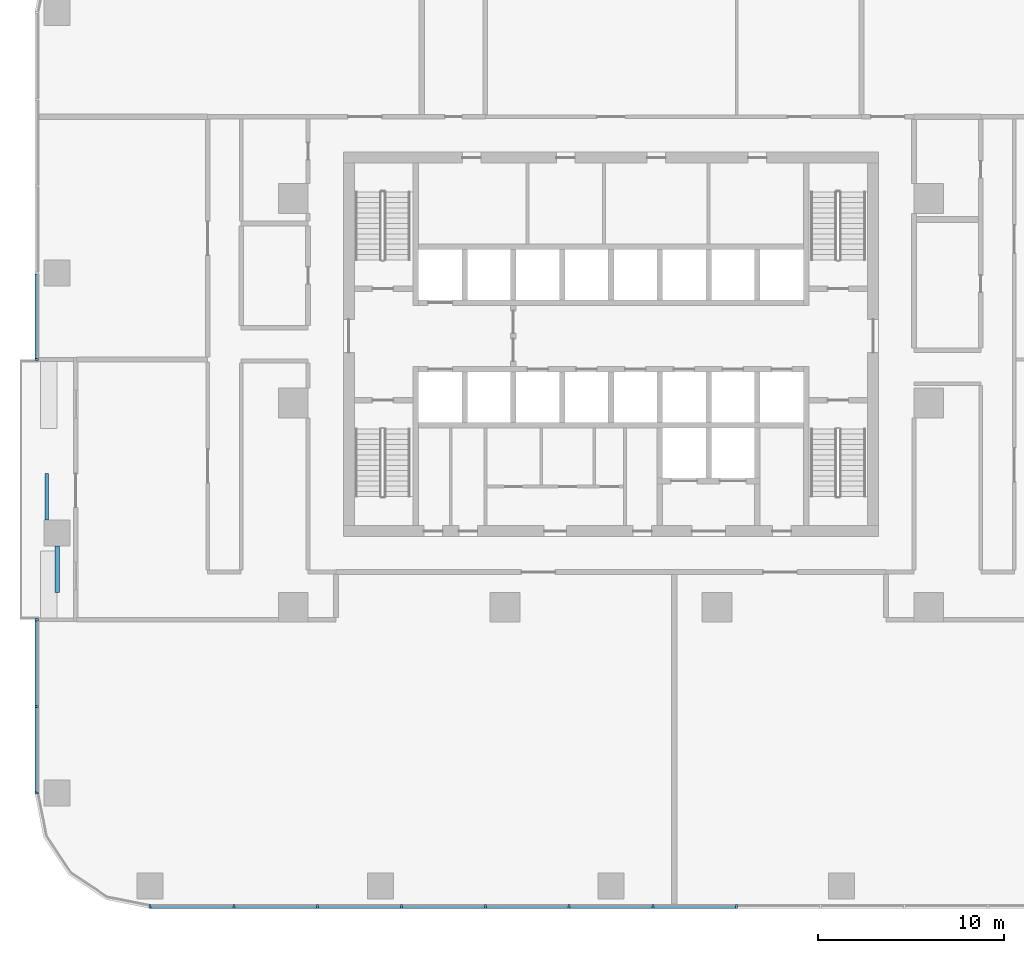
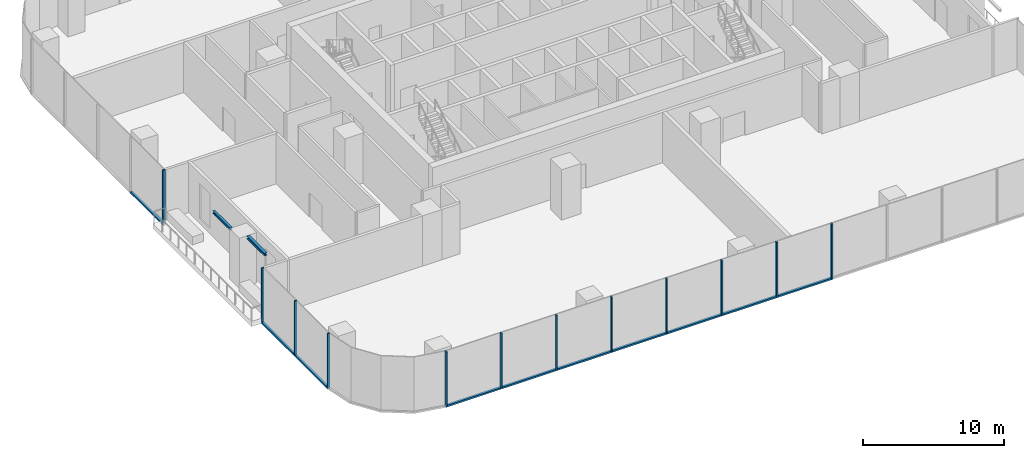
# One storey, part 2 of 14: 22 members, 2 beams, 3 elements without a shape of their own.
"""IFC4 building model written with IfcOpenShell, lengths in metres."""

import ifcopenshell
import ifcopenshell.guid

model = None  # the IFC model being written
_history = None  # IfcOwnerHistory: only IFC2X3 demands one
_inside = {}  # id of a spatial element -> (the spatial element, [elements in it])
_under = {}  # id of a project, library or spatial element -> (it, [spatial elements below it])
_declared = {}  # id of a project -> (the project, [libraries it declares])
_typed = {}  # id of a type object -> (the type object, [elements of that type])
_made_of = {}  # id of a material, layer set ... -> (it, [elements and type objects made of it])


def new_model(schema):
    """Start an empty IFC model of exactly this schema.

    Asked for "IFC4X3", IfcOpenShell would pick the latest addendum, in which some entities
    have other attributes; the version numbers below select the first issue.
    IFC2X3 requires an IfcOwnerHistory on every rooted entity: one is made here for all.
    """
    global model, _history
    if schema == "IFC4X3":
        model = ifcopenshell.file(schema_version=(4, 3, 0, 0))
    else:
        model = ifcopenshell.file(schema=schema)
    _inside.clear()
    _under.clear()
    _declared.clear()
    _typed.clear()
    _made_of.clear()
    _history = None
    if model.schema == "IFC2X3":
        org = make("IfcOrganization", Name="unknown")
        user = make(
            "IfcPersonAndOrganization",
            ThePerson=make("IfcPerson", FamilyName="unknown"),
            TheOrganization=org,
        )
        app = make(
            "IfcApplication",
            ApplicationDeveloper=org,
            Version="unknown",
            ApplicationFullName="unknown",
            ApplicationIdentifier="unknown",
        )
        _history = make(
            "IfcOwnerHistory",
            OwningUser=user,
            OwningApplication=app,
            ChangeAction="ADDED",
            CreationDate=0,
        )
    return model


def make(cls, **values):
    """One entity of the class cls with the attributes given. An attribute that is None is left unset."""
    return model.create_entity(
        cls, **{name: value for name, value in values.items() if value is not None}
    )


def rooted(cls, **values):
    """An entity with a GlobalId (a new one), such as an element, a storey or a relation."""
    return make(cls, GlobalId=ifcopenshell.guid.new(), OwnerHistory=_history, **values)


def si_unit(unit_type, name, prefix=None):
    """IfcSIUnit, for example si_unit("LENGTHUNIT", "METRE", prefix="MILLI")."""
    return make("IfcSIUnit", UnitType=unit_type, Prefix=prefix, Name=name)


def assignment(units):
    """IfcUnitAssignment: the units of a project."""
    return None if units is None else make("IfcUnitAssignment", Units=units)


def point(xyz):
    """IfcCartesianPoint."""
    return None if xyz is None else make("IfcCartesianPoint", Coordinates=xyz)


def direction(xyz):
    """IfcDirection."""
    return None if xyz is None else make("IfcDirection", DirectionRatios=xyz)


def frame(location, z_axis=None, x_axis=None):
    """IfcAxis2Placement3D, a coordinate frame: its origin and axes. An axis left out is left unset."""
    return make(
        "IfcAxis2Placement3D",
        Location=point(location),
        Axis=direction(z_axis),
        RefDirection=direction(x_axis),
    )


def frame_2d(location, x_axis=None):
    """IfcAxis2Placement2D, a coordinate frame in the plane: its origin and x axis."""
    return make(
        "IfcAxis2Placement2D", Location=point(location), RefDirection=direction(x_axis)
    )


def origin():
    """The frame at (0, 0, 0) with its axes left unset."""
    return frame((0.0, 0.0, 0.0))


def origin_2d():
    """The frame at (0, 0) in the plane with its x axis left unset."""
    return frame_2d((0.0, 0.0))


def place(relative_to, where):
    """IfcLocalPlacement: puts the frame where relative to a parent placement (None: the world)."""
    return make(
        "IfcLocalPlacement", PlacementRelTo=relative_to, RelativePlacement=where
    )


def context(
    kind, dimensions, precision=None, world=None, true_north=None, identifier=None
):
    """IfcGeometricRepresentationContext, for example the 3D "Model" context."""
    return make(
        "IfcGeometricRepresentationContext",
        ContextIdentifier=identifier,
        ContextType=kind,
        CoordinateSpaceDimension=dimensions,
        Precision=precision,
        WorldCoordinateSystem=world,
        TrueNorth=true_north,
    )


def subcontext(parent, identifier, kind, view, scale=None):
    """IfcGeometricRepresentationSubContext, for example "Body" below "Model"."""
    return make(
        "IfcGeometricRepresentationSubContext",
        ContextIdentifier=identifier,
        ContextType=kind,
        ParentContext=parent,
        TargetScale=scale,
        TargetView=view,
    )


def project(units=None, contexts=None):
    """IfcProject with its units and contexts."""
    return rooted(
        "IfcProject",
        Name="project",
        RepresentationContexts=contexts,
        UnitsInContext=assignment(units),
    )


def spatial(cls, under=None, at=None, **own):
    """A site, building, storey or space (cls), placed at a placement, below another one or the project."""
    s = rooted(cls, ObjectPlacement=at, **own)
    if under is not None:
        _under.setdefault(under.id(), (under, []))[1].append(s)
    return s


def profile(cls, at=None, kind="AREA", **sizes):
    """A parametric profile (cls). Its sizes go by their IFC names, for example OverallWidth=200.0."""
    return make(cls, ProfileType=kind, Position=at, **sizes)


def rectangle(**sizes):
    """IfcRectangleProfileDef."""
    return profile("IfcRectangleProfileDef", **sizes)


def i_section(**sizes):
    """IfcIShapeProfileDef."""
    return profile("IfcIShapeProfileDef", **sizes)


def extrude(swept, where, along, depth):
    """IfcExtrudedAreaSolid: the profile swept, set in the frame where, extruded along a direction by depth."""
    return make(
        "IfcExtrudedAreaSolid",
        SweptArea=swept,
        Position=where,
        ExtrudedDirection=direction(along),
        Depth=depth,
    )


def shape(context_of_items, identifier, shape_type, items):
    """IfcShapeRepresentation: the items that make up one representation, for example the "Body"."""
    return make(
        "IfcShapeRepresentation",
        ContextOfItems=context_of_items,
        RepresentationIdentifier=identifier,
        RepresentationType=shape_type,
        Items=items,
    )


def material(Name=None, Category=None):
    """IfcMaterial."""
    return make("IfcMaterial", Name=Name, Category=Category)


def material_profile(
    of_material, cross_section, Name=None, Category=None, Priority=None
):
    """IfcMaterialProfile: a cross section and its material."""
    return make(
        "IfcMaterialProfile",
        Name=Name,
        Material=of_material,
        Profile=cross_section,
        Priority=Priority,
        Category=Category,
    )


def profile_set(profiles, Name=None, composite=None):
    """IfcMaterialProfileSet."""
    return make(
        "IfcMaterialProfileSet",
        Name=Name,
        MaterialProfiles=profiles,
        CompositeProfile=composite,
    )


def made_of(thing, what):
    """Note that an element or type object is made of a material, layer set ...; save() writes the relation."""
    if what is not None:
        _made_of.setdefault(what.id(), (what, []))[1].append(thing)
    return thing


def type_object(cls, material=None, **own):
    """A type object (cls), such as IfcWallType, which elements share."""
    return made_of(rooted(cls, **own), material)


def element(
    cls,
    number,
    at=None,
    inside=None,
    cuts=None,
    type_object=None,
    material=None,
    context=None,
    identifier="Body",
    shape_type=None,
    held_by="IfcProductDefinitionShape",
    body=None,
    shapes=None,
    **own,
):
    """One element of the class cls, such as IfcWall. Its Tag is "e" and its number.

    at: its placement. inside: the storey or other place that contains it. cuts: it is an
    opening in that element (IfcRelVoidsElement). A single representation is given by context,
    identifier, shape_type and body (its items); several are given by shapes. held_by: the class
    of the entity that holds the representations. save() writes the other relations.
    """
    e = rooted(cls, Tag="e%d" % number, ObjectPlacement=at, **own)
    if body is not None:
        shapes = [shape(context, identifier, shape_type, body)]
    if shapes is not None:
        e.Representation = make(held_by, Representations=shapes)
    if inside is not None:
        _inside.setdefault(inside.id(), (inside, []))[1].append(e)
    if cuts is not None:
        rooted(
            "IfcRelVoidsElement", RelatingBuildingElement=cuts, RelatedOpeningElement=e
        )
    if type_object is not None:
        _typed.setdefault(type_object.id(), (type_object, []))[1].append(e)
    return made_of(e, material)


def aggregate(whole, parts):
    """IfcRelAggregates: a whole, such as a stair, and the parts it consists of."""
    return rooted("IfcRelAggregates", RelatingObject=whole, RelatedObjects=parts)


def save(model, path):
    """Write the relations noted so far, then the file.

    IfcRelAggregates (storeys below a building ...), IfcRelContainedInSpatialStructure (elements
    in a storey), IfcRelDefinesByType, IfcRelAssociatesMaterial and IfcRelDeclares: one each for
    every whole, place, type object, material and project.
    """
    for whole, parts in _under.values():
        aggregate(whole, parts)
    for where, things in _inside.values():
        rooted(
            "IfcRelContainedInSpatialStructure",
            RelatedElements=things,
            RelatingStructure=where,
        )
    for kind, things in _typed.values():
        rooted("IfcRelDefinesByType", RelatedObjects=things, RelatingType=kind)
    for what, things in _made_of.values():
        rooted("IfcRelAssociatesMaterial", RelatedObjects=things, RelatingMaterial=what)
    for by, libraries in _declared.values():
        rooted("IfcRelDeclares", RelatingContext=by, RelatedDefinitions=libraries)
    model.write(path)


model = new_model("IFC4")

# Units and contexts
model_context = context("Model", 3, precision=1e-05, world=origin(), true_north=direction((0.0, 1.0)))
body_context = subcontext(model_context, "Body", "Model", "MODEL_VIEW")
ifc_project = project(units=[si_unit("LENGTHUNIT", "METRE"), si_unit("AREAUNIT", "SQUARE_METRE"), si_unit("VOLUMEUNIT", "CUBIC_METRE"), si_unit("PLANEANGLEUNIT", "RADIAN"), si_unit("MASSUNIT", "GRAM", prefix="KILO")], contexts=[model_context])

# Site, building, storey
site_placement = place(None, origin())
site = spatial("IfcSite", under=ifc_project, at=site_placement, CompositionType="ELEMENT")
building_placement = place(site_placement, origin())
building = spatial("IfcBuilding", under=site, at=building_placement, Name="Mopane Tessera Tower", CompositionType="ELEMENT")
storey_placement = place(building_placement, frame((0.0, 0.0, 35.800048828125)))
storey = spatial("IfcBuildingStorey", under=building, at=storey_placement, Name="L06", CompositionType="ELEMENT", Elevation=35.800048828125)

# Curtain wall, members
ifc_material_1 = material(Name="Aluminium frame", Category="aluminium")
curtain_wall_type = type_object("IfcCurtainWallType", Name="Lower tower unitised wall", PredefinedType="NOTDEFINED", material=ifc_material_1)
curtain_wall_1_placement = place(storey_placement, origin())
curtain_wall_1 = element("IfcCurtainWall", 1, at=curtain_wall_1_placement, inside=storey, type_object=curtain_wall_type, Name="e:cw:L06:S:0", PredefinedType="NOTDEFINED")
ifc_material_2 = material(Name="Aluminium frame", Category="aluminium")
ifc_material_profile_1 = material_profile(ifc_material_2, rectangle(XDim=0.110107421875, YDim=0.199951171875, at=origin_2d()))
ifc_profile_set_1 = profile_set([ifc_material_profile_1], Name="Aluminium frame")
member_type_1 = type_object("IfcMemberType", Name="Aluminium mullion 110 x 200", PredefinedType="MULLION", material=ifc_profile_set_1)
member_1_placement = place(storey_placement, frame((-24.800048828125, -27.10009765625, -0.449951171875), z_axis=(0.0, 0.0, 1.0), x_axis=(1.0, 0.0, 0.0)))
member_1 = element("IfcMember", 2, at=member_1_placement, type_object=member_type_1, Name="e:cw:L06:S:0:mu0", PredefinedType="MULLION", context=body_context, shape_type="SweptSolid", body=[
    extrude(rectangle(XDim=0.110107421875, YDim=0.199951171875, at=origin_2d()), origin(), (0.0, 0.0, 1.0), 4.7998046875),
])
member_2_placement = place(storey_placement, frame((-20.291015625, -27.10009765625, -0.449951171875), z_axis=(0.0, 0.0, 1.0), x_axis=(1.0, 0.0, 0.0)))
member_2 = element("IfcMember", 3, at=member_2_placement, type_object=member_type_1, Name="e:cw:L06:S:0:mu1", PredefinedType="MULLION", context=body_context, shape_type="SweptSolid", body=[
    extrude(rectangle(XDim=0.110107421875, YDim=0.199951171875, at=origin_2d()), origin(), (0.0, 0.0, 1.0), 4.7998046875),
])
member_3_placement = place(storey_placement, frame((-15.78173828125, -27.10009765625, -0.449951171875), z_axis=(0.0, 0.0, 1.0), x_axis=(1.0, 0.0, 0.0)))
member_3 = element("IfcMember", 4, at=member_3_placement, type_object=member_type_1, Name="e:cw:L06:S:0:mu2", PredefinedType="MULLION", context=body_context, shape_type="SweptSolid", body=[
    extrude(rectangle(XDim=0.110107421875, YDim=0.199951171875, at=origin_2d()), origin(), (0.0, 0.0, 1.0), 4.7998046875),
])
member_4_placement = place(storey_placement, frame((-11.272705078125, -27.10009765625, -0.449951171875), z_axis=(0.0, 0.0, 1.0), x_axis=(1.0, 0.0, 0.0)))
member_4 = element("IfcMember", 5, at=member_4_placement, type_object=member_type_1, Name="e:cw:L06:S:0:mu3", PredefinedType="MULLION", context=body_context, shape_type="SweptSolid", body=[
    extrude(rectangle(XDim=0.110107421875, YDim=0.199951171875, at=origin_2d()), origin(), (0.0, 0.0, 1.0), 4.7998046875),
])
member_5_placement = place(storey_placement, frame((-6.763671875, -27.10009765625, -0.449951171875), z_axis=(0.0, 0.0, 1.0), x_axis=(1.0, 0.0, 0.0)))
member_5 = element("IfcMember", 6, at=member_5_placement, type_object=member_type_1, Name="e:cw:L06:S:0:mu4", PredefinedType="MULLION", context=body_context, shape_type="SweptSolid", body=[
    extrude(rectangle(XDim=0.110107421875, YDim=0.199951171875, at=origin_2d()), origin(), (0.0, 0.0, 1.0), 4.7998046875),
])
member_6_placement = place(storey_placement, frame((-2.254638671875, -27.10009765625, -0.449951171875), z_axis=(0.0, 0.0, 1.0), x_axis=(1.0, 0.0, 0.0)))
member_6 = element("IfcMember", 7, at=member_6_placement, type_object=member_type_1, Name="e:cw:L06:S:0:mu5", PredefinedType="MULLION", context=body_context, shape_type="SweptSolid", body=[
    extrude(rectangle(XDim=0.110107421875, YDim=0.199951171875, at=origin_2d()), origin(), (0.0, 0.0, 1.0), 4.7998046875),
])
member_7_placement = place(storey_placement, frame((2.254638671875, -27.10009765625, -0.449951171875), z_axis=(0.0, 0.0, 1.0), x_axis=(1.0, 0.0, 0.0)))
member_7 = element("IfcMember", 8, at=member_7_placement, type_object=member_type_1, Name="e:cw:L06:S:0:mu6", PredefinedType="MULLION", context=body_context, shape_type="SweptSolid", body=[
    extrude(rectangle(XDim=0.110107421875, YDim=0.199951171875, at=origin_2d()), origin(), (0.0, 0.0, 1.0), 4.7998046875),
])
member_8_placement = place(storey_placement, frame((6.763671875, -27.10009765625, -0.449951171875), z_axis=(0.0, 0.0, 1.0), x_axis=(1.0, 0.0, 0.0)))
member_8 = element("IfcMember", 9, at=member_8_placement, type_object=member_type_1, Name="e:cw:L06:S:0:mu7", PredefinedType="MULLION", context=body_context, shape_type="SweptSolid", body=[
    extrude(rectangle(XDim=0.110107421875, YDim=0.199951171875, at=origin_2d()), origin(), (0.0, 0.0, 1.0), 4.7998046875),
])

# Curtain wall, member
curtain_wall_2_placement = place(storey_placement, origin())
curtain_wall_2 = element("IfcCurtainWall", 10, at=curtain_wall_2_placement, inside=storey, type_object=curtain_wall_type, Name="e:cw:L06:W:0", PredefinedType="NOTDEFINED")
member_9_placement = place(storey_placement, frame((-30.89990234375, 2.333251953125, -0.449951171875), z_axis=(0.0, 0.0, 1.0), x_axis=(0.0, -1.0, 0.0)))
member_9 = element("IfcMember", 11, at=member_9_placement, type_object=member_type_1, Name="e:cw:L06:W:0:mu4", PredefinedType="MULLION", context=body_context, shape_type="SweptSolid", body=[
    extrude(rectangle(XDim=0.110107421875, YDim=0.199951171875, at=origin_2d()), origin(), (0.0, 0.0, 1.0), 4.7998046875),
])

# Curtain wall, members
curtain_wall_3_placement = place(storey_placement, origin())
curtain_wall_3 = element("IfcCurtainWall", 12, at=curtain_wall_3_placement, inside=storey, type_object=curtain_wall_type, Name="e:cw:L06:W:7", PredefinedType="NOTDEFINED")
member_10_placement = place(storey_placement, frame((-30.89990234375, -11.666748046875, -0.449951171875), z_axis=(0.0, 0.0, 1.0), x_axis=(0.0, -1.0, 0.0)))
member_10 = element("IfcMember", 13, at=member_10_placement, type_object=member_type_1, Name="e:cw:L06:W:7:mu7", PredefinedType="MULLION", context=body_context, shape_type="SweptSolid", body=[
    extrude(rectangle(XDim=0.110107421875, YDim=0.199951171875, at=origin_2d()), origin(), (0.0, 0.0, 1.0), 4.7998046875),
])
member_11_placement = place(storey_placement, frame((-30.89990234375, -16.333251953125, -0.449951171875), z_axis=(0.0, 0.0, 1.0), x_axis=(0.0, -1.0, 0.0)))
member_11 = element("IfcMember", 14, at=member_11_placement, type_object=member_type_1, Name="e:cw:L06:W:7:mu8", PredefinedType="MULLION", context=body_context, shape_type="SweptSolid", body=[
    extrude(rectangle(XDim=0.110107421875, YDim=0.199951171875, at=origin_2d()), origin(), (0.0, 0.0, 1.0), 4.7998046875),
])
member_12_placement = place(storey_placement, frame((-30.89990234375, -21.0, -0.449951171875), z_axis=(0.0, 0.0, 1.0), x_axis=(0.0, -1.0, 0.0)))
member_12 = element("IfcMember", 15, at=member_12_placement, type_object=member_type_1, Name="e:cw:L06:W:7:mu9", PredefinedType="MULLION", context=body_context, shape_type="SweptSolid", body=[
    extrude(rectangle(XDim=0.110107421875, YDim=0.199951171875, at=origin_2d()), origin(), (0.0, 0.0, 1.0), 4.7998046875),
])

# Member
ifc_material_3 = material(Name="Aluminium frame", Category="aluminium")
ifc_material_profile_2 = material_profile(ifc_material_3, rectangle(XDim=0.199951171875, YDim=0.139892578125, at=origin_2d()))
ifc_profile_set_2 = profile_set([ifc_material_profile_2], Name="Aluminium frame")
member_type_2 = type_object("IfcMemberType", Name="Aluminium transom 200 x 140", PredefinedType="USERDEFINED", material=ifc_profile_set_2)
member_13_placement = place(storey_placement, frame((-24.7451171875, -27.10009765625, -0.380126953125), z_axis=(1.0, 0.0, 0.0), x_axis=(0.0, 1.0, 0.0)))
member_13 = element("IfcMember", 16, at=member_13_placement, type_object=member_type_2, Name="e:cw:L06:S:0:tr0", ObjectType="TRANSOM", PredefinedType="USERDEFINED", context=body_context, shape_type="SweptSolid", body=[
    extrude(rectangle(XDim=0.199951171875, YDim=0.139892578125, at=origin_2d()), origin(), (0.0, 0.0, 1.0), 4.399169921875),
])

member_14_placement = place(storey_placement, frame((-20.23583984375, -27.10009765625, -0.380126953125), z_axis=(1.0, 0.0, 0.0), x_axis=(0.0, 1.0, 0.0)))
member_14 = element("IfcMember", 17, at=member_14_placement, type_object=member_type_2, Name="e:cw:L06:S:0:tr1", ObjectType="TRANSOM", PredefinedType="USERDEFINED", context=body_context, shape_type="SweptSolid", body=[
    extrude(rectangle(XDim=0.199951171875, YDim=0.139892578125, at=origin_2d()), origin(), (0.0, 0.0, 1.0), 4.39892578125),
])

member_15_placement = place(storey_placement, frame((-15.726806640625, -27.10009765625, -0.380126953125), z_axis=(1.0, 0.0, 0.0), x_axis=(0.0, 1.0, 0.0)))
member_15 = element("IfcMember", 18, at=member_15_placement, type_object=member_type_2, Name="e:cw:L06:S:0:tr2", ObjectType="TRANSOM", PredefinedType="USERDEFINED", context=body_context, shape_type="SweptSolid", body=[
    extrude(rectangle(XDim=0.199951171875, YDim=0.139892578125, at=origin_2d()), origin(), (0.0, 0.0, 1.0), 4.399169921875),
])

member_16_placement = place(storey_placement, frame((-11.2177734375, -27.10009765625, -0.380126953125), z_axis=(1.0, 0.0, 0.0), x_axis=(0.0, 1.0, 0.0)))
member_16 = element("IfcMember", 19, at=member_16_placement, type_object=member_type_2, Name="e:cw:L06:S:0:tr3", ObjectType="TRANSOM", PredefinedType="USERDEFINED", context=body_context, shape_type="SweptSolid", body=[
    extrude(rectangle(XDim=0.199951171875, YDim=0.139892578125, at=origin_2d()), origin(), (0.0, 0.0, 1.0), 4.399169921875),
])

member_17_placement = place(storey_placement, frame((-6.708740234375, -27.10009765625, -0.380126953125), z_axis=(1.0, 0.0, 0.0), x_axis=(0.0, 1.0, 0.0)))
member_17 = element("IfcMember", 20, at=member_17_placement, type_object=member_type_2, Name="e:cw:L06:S:0:tr4", ObjectType="TRANSOM", PredefinedType="USERDEFINED", context=body_context, shape_type="SweptSolid", body=[
    extrude(rectangle(XDim=0.199951171875, YDim=0.139892578125, at=origin_2d()), origin(), (0.0, 0.0, 1.0), 4.399169921875),
])

member_18_placement = place(storey_placement, frame((-2.199462890625, -27.10009765625, -0.380126953125), z_axis=(1.0, 0.0, 0.0), x_axis=(0.0, 1.0, 0.0)))
member_18 = element("IfcMember", 21, at=member_18_placement, type_object=member_type_2, Name="e:cw:L06:S:0:tr5", ObjectType="TRANSOM", PredefinedType="USERDEFINED", context=body_context, shape_type="SweptSolid", body=[
    extrude(rectangle(XDim=0.199951171875, YDim=0.139892578125, at=origin_2d()), origin(), (0.0, 0.0, 1.0), 4.39892578125),
])

member_19_placement = place(storey_placement, frame((2.3095703125, -27.10009765625, -0.380126953125), z_axis=(1.0, 0.0, 0.0), x_axis=(0.0, 1.0, 0.0)))
member_19 = element("IfcMember", 22, at=member_19_placement, type_object=member_type_2, Name="e:cw:L06:S:0:tr6", ObjectType="TRANSOM", PredefinedType="USERDEFINED", context=body_context, shape_type="SweptSolid", body=[
    extrude(rectangle(XDim=0.199951171875, YDim=0.139892578125, at=origin_2d()), origin(), (0.0, 0.0, 1.0), 4.399169921875),
])

aggregate(curtain_wall_1, [member_1, member_2, member_3, member_4, member_5, member_6, member_7, member_8, member_13, member_14, member_15, member_16, member_17, member_18, member_19])

member_20_placement = place(storey_placement, frame((-30.89990234375, 6.945068359375, -0.380126953125), z_axis=(0.0, -1.0, 0.0), x_axis=(1.0, 0.0, 0.0)))
member_20 = element("IfcMember", 23, at=member_20_placement, type_object=member_type_2, Name="e:cw:L06:W:0:tr3", ObjectType="TRANSOM", PredefinedType="USERDEFINED", context=body_context, shape_type="SweptSolid", body=[
    extrude(rectangle(XDim=0.199951171875, YDim=0.139892578125, at=origin_2d()), origin(), (0.0, 0.0, 1.0), 4.556640625),
])

aggregate(curtain_wall_2, [member_9, member_20])

member_21_placement = place(storey_placement, frame((-30.89990234375, -11.7216796875, -0.380126953125), z_axis=(0.0, -1.0, 0.0), x_axis=(1.0, 0.0, 0.0)))
member_21 = element("IfcMember", 24, at=member_21_placement, type_object=member_type_2, Name="e:cw:L06:W:7:tr7", ObjectType="TRANSOM", PredefinedType="USERDEFINED", context=body_context, shape_type="SweptSolid", body=[
    extrude(rectangle(XDim=0.199951171875, YDim=0.139892578125, at=origin_2d()), origin(), (0.0, 0.0, 1.0), 4.556640625),
])

member_22_placement = place(storey_placement, frame((-30.89990234375, -16.388427734375, -0.380126953125), z_axis=(0.0, -1.0, 0.0), x_axis=(1.0, 0.0, 0.0)))
member_22 = element("IfcMember", 25, at=member_22_placement, type_object=member_type_2, Name="e:cw:L06:W:7:tr8", ObjectType="TRANSOM", PredefinedType="USERDEFINED", context=body_context, shape_type="SweptSolid", body=[
    extrude(rectangle(XDim=0.199951171875, YDim=0.139892578125, at=origin_2d()), origin(), (0.0, 0.0, 1.0), 4.556640625),
])

aggregate(curtain_wall_3, [member_10, member_11, member_12, member_21, member_22])

# Beams
ifc_material_4 = material(Name="Structural steel S460", Category="steel")
ifc_material_profile_3 = material_profile(ifc_material_4, i_section(OverallWidth=0.239990234375, OverallDepth=0.239990234375, WebThickness=0.010009765625, FlangeThickness=0.01708984375, FilletRadius=0.02099609375, at=origin_2d()))
ifc_profile_set_3 = profile_set([ifc_material_profile_3], Name="Structural steel S460")
beam_type_1 = type_object("IfcBeamType", Name="Terrace spandrel beam HE 240 B", PredefinedType="SPANDREL", material=ifc_profile_set_3)
beam_1_placement = place(storey_placement, frame((-29.800048828125, -7.702880859375, 4.22998046875), z_axis=(0.0, -1.0, 0.0), x_axis=(1.0, 0.0, 0.0)))
element("IfcBeam", 26, at=beam_1_placement, inside=storey, type_object=beam_type_1, Name="Terrace spandrel beam N3 L07", PredefinedType="SPANDREL", context=body_context, shape_type="SweptSolid", body=[
    extrude(i_section(OverallWidth=0.239990234375, OverallDepth=0.239990234375, WebThickness=0.010009765625, FlangeThickness=0.01708984375, FilletRadius=0.02099609375, at=origin_2d()), origin(), (0.0, 0.0, 1.0), 2.5),
])
ifc_material_5 = material(Name="Structural steel S460", Category="steel")
ifc_material_profile_4 = material_profile(ifc_material_5, i_section(OverallWidth=0.199951171875, OverallDepth=0.199951171875, WebThickness=0.009033203125, FlangeThickness=0.014892578125, FilletRadius=0.01806640625, at=origin_2d()))
ifc_profile_set_4 = profile_set([ifc_material_profile_4], Name="Structural steel S460")
beam_type_2 = type_object("IfcBeamType", Name="Terrace trimmer beam HE 200 B", PredefinedType="BEAM", material=ifc_profile_set_4)
beam_2_placement = place(storey_placement, frame((-30.360107421875, -6.297119140625, 4.25), z_axis=(0.0, 1.0, 0.0), x_axis=(-1.0, 0.0, 0.0)))
element("IfcBeam", 27, at=beam_2_placement, inside=storey, type_object=beam_type_2, Name="Terrace trimmer beam N3 L07", PredefinedType="BEAM", context=body_context, shape_type="SweptSolid", body=[
    extrude(i_section(OverallWidth=0.199951171875, OverallDepth=0.199951171875, WebThickness=0.009033203125, FlangeThickness=0.014892578125, FilletRadius=0.01806640625, at=origin_2d()), origin(), (0.0, 0.0, 1.0), 2.5),
])

save(model, "model.ifc")
